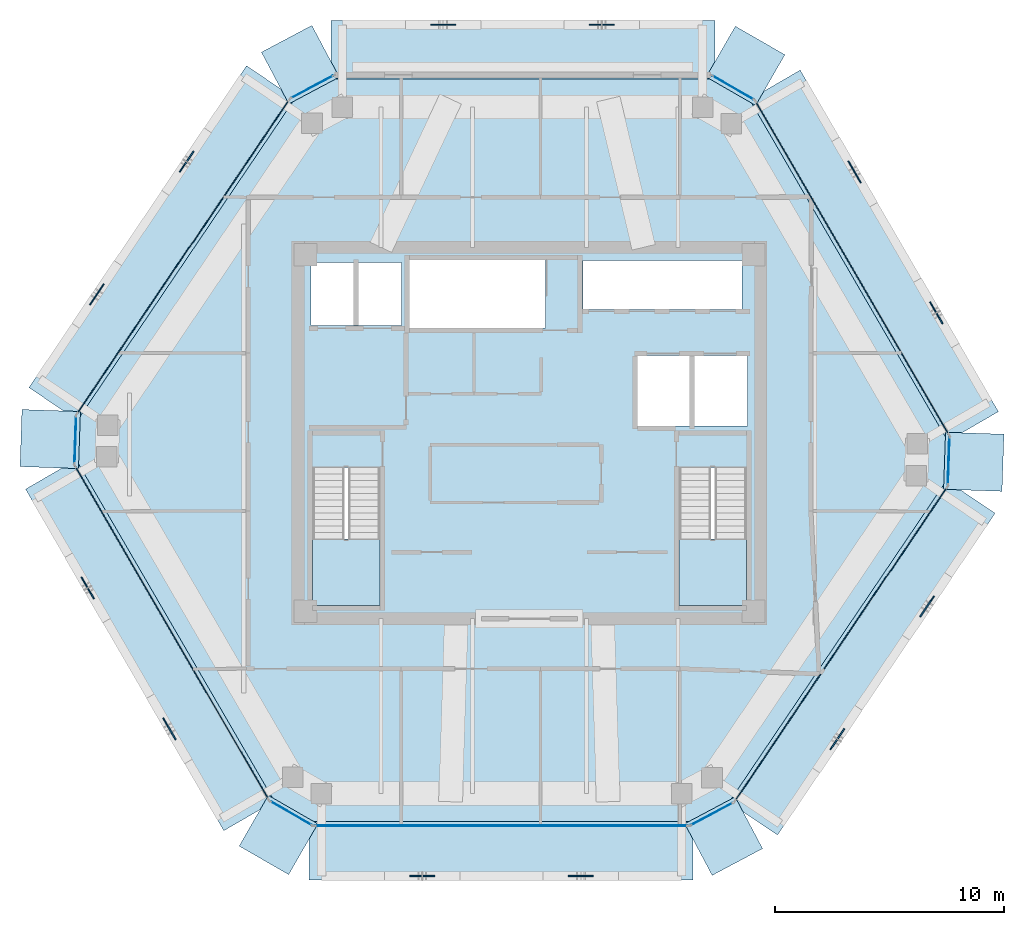
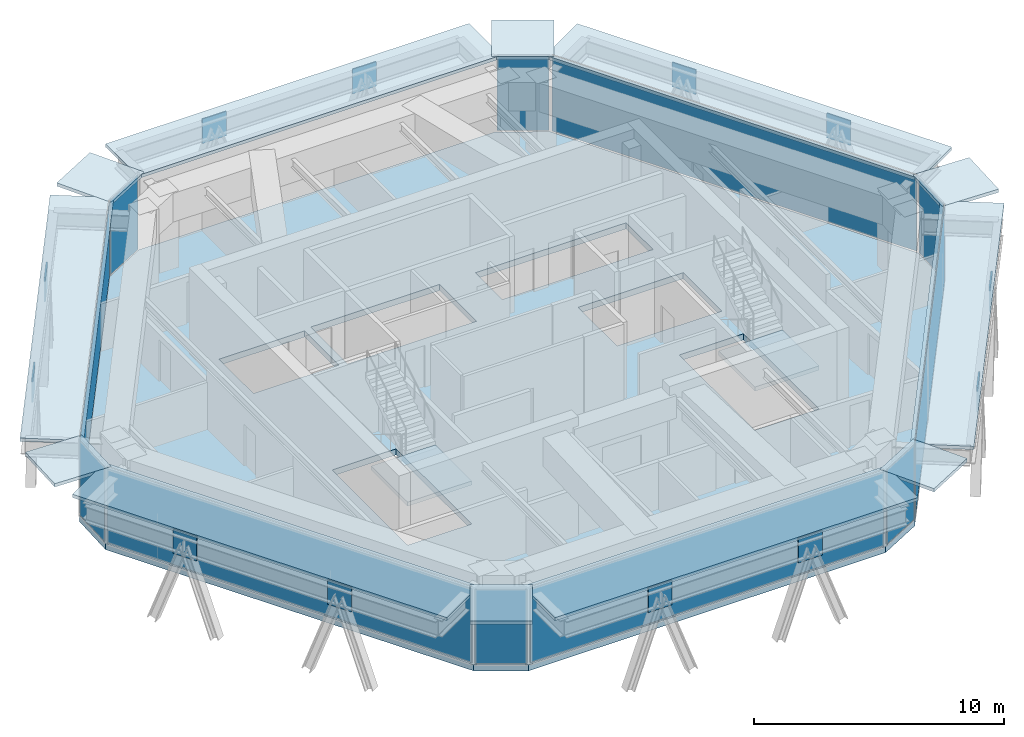
# One storey, part 7 of 13: 35 plates, 3 slabs, 13 elements without a shape of their own.
"""IFC4 building model written with IfcOpenShell, lengths in metres."""

from ifc_helpers import new_model, si_unit, direction, frame, origin, origin_2d, place, context, subcontext, project, spatial, polyline, rectangle, outline, extrude, source, transform, mapped, material, layer, layer_set, type_object, type_shapes, element, aggregate, save


model = new_model("IFC4")

# Units and contexts
model_context = context("Model", 3, precision=1e-05, world=origin(), true_north=direction((0.0, 1.0)))
body_context = subcontext(model_context, "Body", "Model", "MODEL_VIEW")
ifc_project = project(units=[si_unit("LENGTHUNIT", "METRE"), si_unit("AREAUNIT", "SQUARE_METRE"), si_unit("VOLUMEUNIT", "CUBIC_METRE"), si_unit("PLANEANGLEUNIT", "RADIAN"), si_unit("MASSUNIT", "GRAM", prefix="KILO")], contexts=[model_context])

# Site, building, storey
site_placement = place(None, origin())
site = spatial("IfcSite", under=ifc_project, at=site_placement, CompositionType="ELEMENT")
building_placement = place(site_placement, origin())
building = spatial("IfcBuilding", under=site, at=building_placement, Name="Durnholm Broadcast Tower", CompositionType="ELEMENT")
storey_placement = place(building_placement, frame((0.0, 0.0, 268.300048828125)))
storey = spatial("IfcBuildingStorey", under=building, at=storey_placement, Name="L75", CompositionType="ELEMENT", Elevation=268.300048828125)

# Slab
ifc_material_1 = material(Name="Concrete C50/60", Category="concrete")
ifc_layer_1 = layer(ifc_material_1, 0.300048828125)
ifc_layer_set_1 = layer_set([ifc_layer_1], Name="Concrete C50/60")
slab_type_1 = type_object("IfcSlabType", Name="SLAB-FLR-300", PredefinedType="FLOOR", material=ifc_layer_set_1)
slab_1_placement = place(storey_placement, frame((0.0, 0.0, -0.300048828125)))
element("IfcSlab", 1, at=slab_1_placement, inside=storey, type_object=slab_type_1, Name="L75 structural floor slab", PredefinedType="FLOOR", context=body_context, shape_type="SweptSolid", body=[
    extrude(outline(polyline([(-11.384521484375, -16.088134765625), (-9.47802734375, -17.18603515625), (7.012451171875, -17.18603515625), (8.955322265625, -16.154296875), (18.307861328125, -2.3203125), (18.38330078125, -0.12158203125), (9.8603515625, 14.564208984375), (7.9541015625, 15.662109375), (-8.536376953125, 15.662109375), (-10.4794921875, 14.630126953125), (-19.831787109375, 0.79638671875), (-19.9072265625, -1.40234375), (-11.384521484375, -16.088134765625)]), holes=[polyline([(-6.5400390625, -1.5), (-9.5, -1.5), (-9.5, -7.550048828125), (-6.5400390625, -7.550048828125), (-6.5400390625, -1.5)]), polyline([(9.5, -7.550048828125), (9.5, -1.5), (6.5400390625, -1.5), (6.5400390625, -7.550048828125), (9.5, -7.550048828125)]), polyline([(9.550048828125, 3.39990234375), (4.699951171875, 3.39990234375), (4.699951171875, 0.300048828125), (9.550048828125, 0.300048828125), (9.550048828125, 3.39990234375)]), polyline([(-9.550048828125, 7.449951171875), (-9.550048828125, 4.699951171875), (-5.60009765625, 4.699951171875), (-5.60009765625, 7.449951171875), (-9.550048828125, 7.449951171875)]), polyline([(-5.25, 4.60009765625), (0.699951171875, 4.60009765625), (0.699951171875, 7.56005859375), (-5.25, 7.56005859375), (-5.25, 4.60009765625)]), polyline([(9.31005859375, 7.550048828125), (2.35009765625, 7.550048828125), (2.35009765625, 5.39990234375), (9.31005859375, 5.39990234375), (9.31005859375, 7.550048828125)])]), origin(), (0.0, 0.0, 1.0), 0.300048828125),
])

# Stair, slab
stair_type = type_object("IfcStairType", Name="STAIR-DL-24R1750", PredefinedType="HALF_TURN_STAIR", material=ifc_material_1)
stair_1_placement = place(storey_placement, origin())
stair_1 = element("IfcStair", 2, at=stair_1_placement, inside=storey, type_object=stair_type, Name="L75 ST-1", PredefinedType="HALF_TURN_STAIR")
ifc_layer_2 = layer(ifc_material_1, 0.199951171875)
ifc_layer_set_2 = layer_set([ifc_layer_2], Name="Concrete C50/60")
slab_type_2 = type_object("IfcSlabType", Name="SLAB-LND-200", PredefinedType="LANDING", material=ifc_layer_set_2)
slab_2_placement = place(storey_placement, frame((0.0, 0.0, 1.89990234375)))
slab_2 = element("IfcSlab", 3, at=slab_2_placement, type_object=slab_type_2, Name="ST-1 landing 1", PredefinedType="LANDING", context=body_context, shape_type="SweptSolid", body=[
    extrude(outline(polyline([(-9.5, -4.635009765625), (-9.5, -7.550048828125), (-6.5400390625, -7.550048828125), (-6.5400390625, -4.635009765625), (-9.5, -4.635009765625)])), origin(), (0.0, 0.0, 1.0), 0.199951171875),
])
aggregate(stair_1, [slab_2])

stair_2_placement = place(storey_placement, origin())
stair_2 = element("IfcStair", 4, at=stair_2_placement, inside=storey, type_object=stair_type, Name="L75 ST-2", PredefinedType="HALF_TURN_STAIR")
slab_3_placement = place(storey_placement, frame((0.0, 0.0, 1.89990234375)))
slab_3 = element("IfcSlab", 5, at=slab_3_placement, type_object=slab_type_2, Name="ST-2 landing 1", PredefinedType="LANDING", context=body_context, shape_type="SweptSolid", body=[
    extrude(outline(polyline([(6.5400390625, -4.635009765625), (6.5400390625, -7.550048828125), (9.5, -7.550048828125), (9.5, -4.635009765625), (6.5400390625, -4.635009765625)])), origin(), (0.0, 0.0, 1.0), 0.199951171875),
])
aggregate(stair_2, [slab_3])

# Plates
ifc_material_2 = material(Name="Steel ASTM A572 Grade 50", Category="steel")
ifc_layer_3 = layer(ifc_material_2, 0.06005859375)
ifc_layer_set_3 = layer_set([ifc_layer_3], Name="Steel ASTM A572 Grade 50")
plate_type_1 = type_object("IfcPlateType", Name="PLT-KN10-GUS", PredefinedType="USERDEFINED", material=ifc_layer_set_3)
shared_shape_1 = source(origin(), body_context, "Body", "SweptSolid", [
    extrude(rectangle(XDim=1.10009765625, YDim=0.06005859375, at=origin_2d()), origin(), (0.0, 0.0, 1.0), 1.199951171875),
])
type_shapes(plate_type_1, [shared_shape_1])
for number, where, z_axis, x_axis, name in (
    (6, (-4.688720703125, -19.385986328125, 2.3984375), (0.0, 0.0, 1.0), (1.0, 0.0, 0.0), "L75 welded diagrid node gusset plate KN10 F1"),
    (7, (2.248779296875, -19.385986328125, 2.3984375), (0.0, 0.0, 1.0), (1.0, 0.0, 0.0), "L75 welded diagrid node gusset plate KN10 F1"),
    (8, (13.47412109375, -13.398193359375, 2.3984375), (0.0, 0.0, 1.0), (0.560060762816, 0.828451532652, 0.0), "L75 welded diagrid node gusset plate KN10 F2"),
    (9, (17.404052734375, -7.585205078125, 2.3984375), (0.0, 0.0, 1.0), (0.560060762816, 0.828451532652, 0.0), "L75 welded diagrid node gusset plate KN10 F2"),
    (10, (17.806640625, 5.2548828125, 2.3984375), (0.0, 0.0, 1.0), (-0.501963660617, 0.864888711581, 0.0), "L75 welded diagrid node gusset plate KN10 F3"),
    (11, (14.228271484375, 11.4208984375, 2.3984375), (0.0, 0.0, 1.0), (-0.501963660617, 0.864888711581, 0.0), "L75 welded diagrid node gusset plate KN10 F3"),
    (12, (3.164794921875, 17.862060546875, 2.3984375), (0.0, 0.0, 1.0), (-1.0, 0.0, 0.0), "L75 welded diagrid node gusset plate KN10 F4"),
    (13, (-3.772705078125, 17.862060546875, 2.3984375), (0.0, 0.0, 1.0), (-1.0, 0.0, 0.0), "L75 welded diagrid node gusset plate KN10 F4"),
    (14, (-14.998046875, 11.874267578125, 2.3984375), (0.0, 0.0, 1.0), (-0.560060762816, -0.828451532652, 0.0), "L75 welded diagrid node gusset plate KN10 F5"),
    (15, (-18.927978515625, 6.061279296875, 2.3984375), (0.0, 0.0, 1.0), (-0.560060762816, -0.828451532652, 0.0), "L75 welded diagrid node gusset plate KN10 F5"),
    (16, (-19.330810546875, -6.77880859375, 2.3984375), (0.0, 0.0, 1.0), (0.501963660617, -0.864888711581, 0.0), "L75 welded diagrid node gusset plate KN10 F6"),
    (17, (-15.752197265625, -12.94482421875, 2.3984375), (0.0, 0.0, 1.0), (0.501963660617, -0.864888711581, 0.0), "L75 welded diagrid node gusset plate KN10 F6"),
):
    element("IfcPlate", number, at=place(storey_placement, frame(where, z_axis=z_axis, x_axis=x_axis)), inside=storey, type_object=plate_type_1, Name=name, ObjectType="GUSSET_PLATE", PredefinedType="USERDEFINED", context=body_context, shape_type="MappedRepresentation", body=[
        mapped(shared_shape_1, transform((0.0, 0.0, 0.0), x_axis=(1.0, 0.0, 0.0), y_axis=(0.0, 1.0, 0.0), z_axis=(0.0, 0.0, 1.0), scale=1.0)),
    ])

# Curtain wall, plate
ifc_material_3 = material(Name="Aluminium and Solar Control IGU", Category="aluminium")
ifc_layer_4 = layer(ifc_material_3, 0.1650390625)
ifc_layer_set_4 = layer_set([ifc_layer_4], Name="Aluminium and Solar Control IGU")
curtain_wall_type_1 = type_object("IfcCurtainWallType", Name="CW-SYS-5", PredefinedType="NOTDEFINED", material=ifc_layer_set_4)
curtain_wall_1_placement = place(storey_placement, origin())
curtain_wall_1 = element("IfcCurtainWall", 18, at=curtain_wall_1_placement, inside=storey, type_object=curtain_wall_type_1, Name="L75 curtain wall CW-CORNER CW-L75-CRN-01", PredefinedType="NOTDEFINED")
ifc_material_4 = material(Name="Low-E Laminated Insulating Glass", Category="glass")
ifc_layer_5 = layer(ifc_material_4, 0.030029296875)
ifc_layer_set_5 = layer_set([ifc_layer_5], Name="Low-E Laminated Insulating Glass")
plate_type_2 = type_object("IfcPlateType", Name="CW-SYS-5-PNL", PredefinedType="CURTAIN_PANEL", material=ifc_layer_set_5)
shared_shape_2 = source(origin(), body_context, "Body", "SweptSolid", [
    extrude(rectangle(XDim=2.070068359375, YDim=0.030029296875, at=origin_2d()), origin(), (0.0, 0.0, 1.0), 3.6201171875),
])
plate_1_placement = place(storey_placement, frame((-19.86962890625, -0.302978515625, 0.06494140625), z_axis=(0.0, 0.0, 1.0), x_axis=(0.034318245849, 0.999410955514, 0.0)))
plate_1 = element("IfcPlate", 19, at=plate_1_placement, type_object=plate_type_2, Name="CW-CORNER panel 1.1", PredefinedType="CURTAIN_PANEL", context=body_context, shape_type="MappedRepresentation", body=[
    mapped(shared_shape_2, transform((0.0, 0.0, 0.0), x_axis=(1.0, 0.0, 0.0), y_axis=(0.0, 1.0, 0.0), z_axis=(0.0, 0.0, 1.0), scale=1.0)),
])
aggregate(curtain_wall_1, [plate_1])

curtain_wall_2_placement = place(storey_placement, origin())
curtain_wall_2 = element("IfcCurtainWall", 20, at=curtain_wall_2_placement, inside=storey, type_object=curtain_wall_type_1, Name="L75 curtain wall CW-CORNER CW-L75-CRN-03", PredefinedType="NOTDEFINED")
plate_2_placement = place(storey_placement, frame((-9.5078125, 15.14599609375, 0.06494140625), z_axis=(0.0, 0.0, 1.0), x_axis=(0.883194569853, 0.469006771575, 0.0)))
plate_2 = element("IfcPlate", 21, at=plate_2_placement, type_object=plate_type_2, Name="CW-CORNER panel 1.1", PredefinedType="CURTAIN_PANEL", context=body_context, shape_type="MappedRepresentation", body=[
    mapped(shared_shape_2, transform((0.0, 0.0, 0.0), x_axis=(1.0, 0.0, 0.0), y_axis=(0.0, 1.0, 0.0), z_axis=(0.0, 0.0, 1.0), scale=1.0)),
])
aggregate(curtain_wall_2, [plate_2])

curtain_wall_3_placement = place(storey_placement, origin())
curtain_wall_3 = element("IfcCurtainWall", 22, at=curtain_wall_3_placement, inside=storey, type_object=curtain_wall_type_1, Name="L75 curtain wall CW-CORNER CW-L75-CRN-07", PredefinedType="NOTDEFINED")
plate_3_placement = place(storey_placement, frame((18.345458984375, -1.220947265625, 0.06494140625), z_axis=(0.0, 0.0, 1.0), x_axis=(-0.034318245849, -0.999410955514, 0.0)))
plate_3 = element("IfcPlate", 23, at=plate_3_placement, type_object=plate_type_2, Name="CW-CORNER panel 1.1", PredefinedType="CURTAIN_PANEL", context=body_context, shape_type="MappedRepresentation", body=[
    mapped(shared_shape_2, transform((0.0, 0.0, 0.0), x_axis=(1.0, 0.0, 0.0), y_axis=(0.0, 1.0, 0.0), z_axis=(0.0, 0.0, 1.0), scale=1.0)),
])
aggregate(curtain_wall_3, [plate_3])

curtain_wall_4_placement = place(storey_placement, origin())
curtain_wall_4 = element("IfcCurtainWall", 24, at=curtain_wall_4_placement, inside=storey, type_object=curtain_wall_type_1, Name="L75 curtain wall CW-CORNER CW-L75-CRN-09", PredefinedType="NOTDEFINED")
plate_4_placement = place(storey_placement, frame((7.98388671875, -16.670166015625, 0.06494140625), z_axis=(0.0, 0.0, 1.0), x_axis=(-0.883194569853, -0.469006771575, 0.0)))
plate_4 = element("IfcPlate", 25, at=plate_4_placement, type_object=plate_type_2, Name="CW-CORNER panel 1.1", PredefinedType="CURTAIN_PANEL", context=body_context, shape_type="MappedRepresentation", body=[
    mapped(shared_shape_2, transform((0.0, 0.0, 0.0), x_axis=(1.0, 0.0, 0.0), y_axis=(0.0, 1.0, 0.0), z_axis=(0.0, 0.0, 1.0), scale=1.0)),
])
aggregate(curtain_wall_4, [plate_4])

ifc_layer_6 = layer(ifc_material_3, 0.219970703125)
ifc_layer_set_6 = layer_set([ifc_layer_6], Name="Aluminium and Solar Control IGU")
curtain_wall_type_2 = type_object("IfcCurtainWallType", Name="CW-SYS-6", PredefinedType="NOTDEFINED", material=ifc_layer_set_6)
curtain_wall_5_placement = place(storey_placement, origin())
curtain_wall_5 = element("IfcCurtainWall", 26, at=curtain_wall_5_placement, inside=storey, type_object=curtain_wall_type_2, Name="L75 curtain wall CW-AMENITY CW-L75-F02", PredefinedType="NOTDEFINED")
ifc_layer_7 = layer(ifc_material_4, 0.0380859375)
ifc_layer_set_7 = layer_set([ifc_layer_7], Name="Low-E Laminated Insulating Glass")
plate_type_3 = type_object("IfcPlateType", Name="CW-SYS-6-PNL", PredefinedType="CURTAIN_PANEL", material=ifc_layer_set_7)
shared_shape_3 = source(origin(), body_context, "Body", "SweptSolid", [
    extrude(rectangle(XDim=16.548583984375, YDim=0.0380859375, at=origin_2d()), origin(), (0.0, 0.0, 1.0), 3.60009765625),
])
plate_5_placement = place(storey_placement, frame((-15.155517578125, 7.71337890625, 0.074951171875), z_axis=(0.0, 0.0, 1.0), x_axis=(0.560072745753, 0.828443431662, 0.0)))
plate_5 = element("IfcPlate", 27, at=plate_5_placement, type_object=plate_type_3, Name="CW-AMENITY panel 1.1", PredefinedType="CURTAIN_PANEL", context=body_context, shape_type="MappedRepresentation", body=[
    mapped(shared_shape_3, transform((0.0, 0.0, 0.0), x_axis=(1.0, 0.0, 0.0), y_axis=(0.0, 1.0, 0.0), z_axis=(0.0, 0.0, 1.0), scale=1.0)),
])
aggregate(curtain_wall_5, [plate_5])

curtain_wall_6_placement = place(storey_placement, origin())
curtain_wall_6 = element("IfcCurtainWall", 28, at=curtain_wall_6_placement, inside=storey, type_object=curtain_wall_type_2, Name="L75 curtain wall CW-AMENITY CW-L75-F08", PredefinedType="NOTDEFINED")
plate_6_placement = place(storey_placement, frame((13.631591796875, -9.2373046875, 0.074951171875), z_axis=(0.0, 0.0, 1.0), x_axis=(-0.560072745753, -0.828443431662, 0.0)))
plate_6 = element("IfcPlate", 29, at=plate_6_placement, type_object=plate_type_3, Name="CW-AMENITY panel 1.1", PredefinedType="CURTAIN_PANEL", context=body_context, shape_type="MappedRepresentation", body=[
    mapped(shared_shape_3, transform((0.0, 0.0, 0.0), x_axis=(1.0, 0.0, 0.0), y_axis=(0.0, 1.0, 0.0), z_axis=(0.0, 0.0, 1.0), scale=1.0)),
])
aggregate(curtain_wall_6, [plate_6])

curtain_wall_7_placement = place(storey_placement, origin())
curtain_wall_7 = element("IfcCurtainWall", 30, at=curtain_wall_7_placement, inside=storey, type_object=curtain_wall_type_1, Name="L75 curtain wall CW-CORNER CW-L75-CRN-05", PredefinedType="NOTDEFINED")
shared_shape_4 = source(origin(), body_context, "Body", "SweptSolid", [
    extrude(rectangle(XDim=2.06982421875, YDim=0.030029296875, at=origin_2d()), origin(), (0.0, 0.0, 1.0), 3.6201171875),
])
type_shapes(plate_type_2, [shared_shape_2, shared_shape_4])
plate_7_placement = place(storey_placement, frame((8.9072265625, 15.113037109375, 0.06494140625), z_axis=(0.0, 0.0, 1.0), x_axis=(0.866568249707, -0.499058582333, 0.0)))
plate_7 = element("IfcPlate", 31, at=plate_7_placement, type_object=plate_type_2, Name="CW-CORNER panel 1.1", PredefinedType="CURTAIN_PANEL", context=body_context, shape_type="MappedRepresentation", body=[
    mapped(shared_shape_4, transform((0.0, 0.0, 0.0), x_axis=(1.0, 0.0, 0.0), y_axis=(0.0, 1.0, 0.0), z_axis=(0.0, 0.0, 1.0), scale=1.0)),
])
aggregate(curtain_wall_7, [plate_7])

curtain_wall_8_placement = place(storey_placement, origin())
curtain_wall_8 = element("IfcCurtainWall", 32, at=curtain_wall_8_placement, inside=storey, type_object=curtain_wall_type_1, Name="L75 curtain wall CW-CORNER CW-L75-CRN-11", PredefinedType="NOTDEFINED")
plate_8_placement = place(storey_placement, frame((-10.43115234375, -16.636962890625, 0.06494140625), z_axis=(0.0, 0.0, 1.0), x_axis=(-0.866568249707, 0.499058582333, 0.0)))
plate_8 = element("IfcPlate", 33, at=plate_8_placement, type_object=plate_type_2, Name="CW-CORNER panel 1.1", PredefinedType="CURTAIN_PANEL", context=body_context, shape_type="MappedRepresentation", body=[
    mapped(shared_shape_4, transform((0.0, 0.0, 0.0), x_axis=(1.0, 0.0, 0.0), y_axis=(0.0, 1.0, 0.0), z_axis=(0.0, 0.0, 1.0), scale=1.0)),
])
aggregate(curtain_wall_8, [plate_8])

curtain_wall_9_placement = place(storey_placement, origin())
curtain_wall_9 = element("IfcCurtainWall", 34, at=curtain_wall_9_placement, inside=storey, type_object=curtain_wall_type_2, Name="L75 curtain wall CW-AMENITY CW-L75-F06", PredefinedType="NOTDEFINED")
shared_shape_5 = source(origin(), body_context, "Body", "SweptSolid", [
    extrude(rectangle(XDim=16.829833984375, YDim=0.0380859375, at=origin_2d()), origin(), (0.0, 0.0, 1.0), 3.60009765625),
])
plate_9_placement = place(storey_placement, frame((14.121826171875, 7.22119140625, 0.074951171875), z_axis=(0.0, 0.0, 1.0), x_axis=(0.50194441023, -0.864899883824, 0.0)))
plate_9 = element("IfcPlate", 35, at=plate_9_placement, type_object=plate_type_3, Name="CW-AMENITY panel 1.1", PredefinedType="CURTAIN_PANEL", context=body_context, shape_type="MappedRepresentation", body=[
    mapped(shared_shape_5, transform((0.0, 0.0, 0.0), x_axis=(1.0, 0.0, 0.0), y_axis=(0.0, 1.0, 0.0), z_axis=(0.0, 0.0, 1.0), scale=1.0)),
])
aggregate(curtain_wall_9, [plate_9])

curtain_wall_10_placement = place(storey_placement, origin())
curtain_wall_10 = element("IfcCurtainWall", 36, at=curtain_wall_10_placement, inside=storey, type_object=curtain_wall_type_2, Name="L75 curtain wall CW-AMENITY CW-L75-F12", PredefinedType="NOTDEFINED")
plate_10_placement = place(storey_placement, frame((-15.645751953125, -8.7451171875, 0.074951171875), z_axis=(0.0, 0.0, 1.0), x_axis=(-0.50194441023, 0.864899883824, 0.0)))
plate_10 = element("IfcPlate", 37, at=plate_10_placement, type_object=plate_type_3, Name="CW-AMENITY panel 1.1", PredefinedType="CURTAIN_PANEL", context=body_context, shape_type="MappedRepresentation", body=[
    mapped(shared_shape_5, transform((0.0, 0.0, 0.0), x_axis=(1.0, 0.0, 0.0), y_axis=(0.0, 1.0, 0.0), z_axis=(0.0, 0.0, 1.0), scale=1.0)),
])
aggregate(curtain_wall_10, [plate_10])

curtain_wall_11_placement = place(storey_placement, origin())
curtain_wall_11 = element("IfcCurtainWall", 38, at=curtain_wall_11_placement, inside=storey, type_object=curtain_wall_type_2, Name="L75 curtain wall CW-AMENITY CW-L75-F10", PredefinedType="NOTDEFINED")
shared_shape_6 = source(origin(), body_context, "Body", "SweptSolid", [
    extrude(rectangle(XDim=16.34033203125, YDim=0.0380859375, at=origin_2d()), origin(), (0.0, 0.0, 1.0), 3.60009765625),
])
type_shapes(plate_type_3, [shared_shape_3, shared_shape_5, shared_shape_6])
plate_11_placement = place(storey_placement, frame((-1.23291015625, -17.18603515625, 0.074951171875), z_axis=(0.0, 0.0, 1.0), x_axis=(-1.0, 0.0, 0.0)))
plate_11 = element("IfcPlate", 39, at=plate_11_placement, type_object=plate_type_3, Name="CW-AMENITY panel 1.1", PredefinedType="CURTAIN_PANEL", context=body_context, shape_type="MappedRepresentation", body=[
    mapped(shared_shape_6, transform((0.0, 0.0, 0.0), x_axis=(1.0, 0.0, 0.0), y_axis=(0.0, 1.0, 0.0), z_axis=(0.0, 0.0, 1.0), scale=1.0)),
])
aggregate(curtain_wall_11, [plate_11])

# Plates
ifc_material_5 = material(Name="Anodised Architectural Aluminium Louvre Screen", Category="aluminium")
ifc_layer_8 = layer(ifc_material_5, 0.0849609375)
ifc_layer_set_8 = layer_set([ifc_layer_8], Name="Anodised Architectural Aluminium Louvre Screen")
plate_type_4 = type_object("IfcPlateType", Name="PLT-CROWN-SCR", PredefinedType="USERDEFINED", material=ifc_layer_set_8)
shared_shape_7 = source(origin(), body_context, "Body", "SweptSolid", [
    extrude(rectangle(XDim=2.5, YDim=2.56005859375, at=origin_2d()), origin(), (0.0, 0.0, 1.0), 0.159912109375),
])
for number, where, z_axis, x_axis, name in (
    (40, (-10.980224609375, -17.59033203125, 3.6298828125), (0.0, 0.0, 1.0), (0.866548527613, -0.499092826328, 0.0), "L75 exoskeleton top weather-louvre cap grille 01"),
    (41, (8.499755859375, -17.6416015625, 3.6298828125), (0.0, 0.0, 1.0), (0.883193286551, 0.469009188174, 0.0), "L75 exoskeleton top weather-louvre cap grille 03"),
    (42, (19.44482421875, -1.2587890625, 3.6298828125), (0.0, 0.0, 1.0), (0.034376212129, 0.999408963358, 0.0), "L75 exoskeleton top weather-louvre cap grille 05"),
    (43, (9.4560546875, 16.06640625, 3.6298828125), (0.0, 0.0, 1.0), (-0.866548527613, 0.499092826328, 0.0), "L75 exoskeleton top weather-louvre cap grille 07"),
    (44, (-10.023681640625, 16.11767578125, 3.6298828125), (0.0, 0.0, 1.0), (-0.883193286551, -0.469009188174, 0.0), "L75 exoskeleton top weather-louvre cap grille 09"),
    (45, (-20.968994140625, -0.26513671875, 3.6298828125), (0.0, 0.0, 1.0), (-0.034376212129, -0.999408963358, 0.0), "L75 exoskeleton top weather-louvre cap grille 11"),
):
    element("IfcPlate", number, at=place(storey_placement, frame(where, z_axis=z_axis, x_axis=x_axis)), inside=storey, type_object=plate_type_4, Name=name, ObjectType="SCREEN", PredefinedType="USERDEFINED", context=body_context, shape_type="MappedRepresentation", body=[
        mapped(shared_shape_7, transform((0.0, 0.0, 0.0), x_axis=(1.0, 0.0, 0.0), y_axis=(0.0, 1.0, 0.0), z_axis=(0.0, 0.0, 1.0), scale=1.0)),
    ])
shared_shape_8 = source(origin(), body_context, "Body", "SweptSolid", [
    extrude(rectangle(XDim=16.7900390625, YDim=2.56005859375, at=origin_2d()), origin(), (0.0, 0.0, 1.0), 0.159912109375),
])
for number, where, z_axis, x_axis, name in (
    (46, (-1.242919921875, -18.285888671875, 3.6298828125), (0.0, 0.0, 1.0), (1.0, 0.0, 0.0), "L75 exoskeleton top weather-louvre cap grille 02"),
    (47, (-0.281005859375, 16.761962890625, 3.6298828125), (0.0, 0.0, 1.0), (-1.0, 0.0, 0.0), "L75 exoskeleton top weather-louvre cap grille 08"),
):
    element("IfcPlate", number, at=place(storey_placement, frame(where, z_axis=z_axis, x_axis=x_axis)), inside=storey, type_object=plate_type_4, Name=name, ObjectType="SCREEN", PredefinedType="USERDEFINED", context=body_context, shape_type="MappedRepresentation", body=[
        mapped(shared_shape_8, transform((0.0, 0.0, 0.0), x_axis=(1.0, 0.0, 0.0), y_axis=(0.0, 1.0, 0.0), z_axis=(0.0, 0.0, 1.0), scale=1.0)),
    ])
shared_shape_9 = source(origin(), body_context, "Body", "SweptSolid", [
    extrude(rectangle(XDim=16.9990234375, YDim=2.56005859375, at=origin_2d()), origin(), (0.0, 0.0, 1.0), 0.159912109375),
])
for number, where, z_axis, x_axis, name in (
    (48, (14.5546875, -9.835693359375, 3.6298828125), (0.0, 0.0, 1.0), (0.560060762816, 0.828451532652, 0.0), "L75 exoskeleton top weather-louvre cap grille 04"),
    (49, (-16.078857421875, 8.311767578125, 3.6298828125), (0.0, 0.0, 1.0), (-0.560060762816, -0.828451532652, 0.0), "L75 exoskeleton top weather-louvre cap grille 10"),
):
    element("IfcPlate", number, at=place(storey_placement, frame(where, z_axis=z_axis, x_axis=x_axis)), inside=storey, type_object=plate_type_4, Name=name, ObjectType="SCREEN", PredefinedType="USERDEFINED", context=body_context, shape_type="MappedRepresentation", body=[
        mapped(shared_shape_9, transform((0.0, 0.0, 0.0), x_axis=(1.0, 0.0, 0.0), y_axis=(0.0, 1.0, 0.0), z_axis=(0.0, 0.0, 1.0), scale=1.0)),
    ])
shared_shape_10 = source(origin(), body_context, "Body", "SweptSolid", [
    extrude(rectangle(XDim=17.280029296875, YDim=2.56005859375, at=origin_2d()), origin(), (0.0, 0.0, 1.0), 0.159912109375),
])
type_shapes(plate_type_4, [shared_shape_7, shared_shape_8, shared_shape_9, shared_shape_10])
for number, where, z_axis, x_axis, name in (
    (50, (15.078857421875, 7.763671875, 3.6298828125), (0.0, 0.0, 1.0), (-0.501963660617, 0.864888711581, 0.0), "L75 exoskeleton top weather-louvre cap grille 06"),
    (51, (-16.602783203125, -9.28759765625, 3.6298828125), (0.0, 0.0, 1.0), (0.501963660617, -0.864888711581, 0.0), "L75 exoskeleton top weather-louvre cap grille 12"),
):
    element("IfcPlate", number, at=place(storey_placement, frame(where, z_axis=z_axis, x_axis=x_axis)), inside=storey, type_object=plate_type_4, Name=name, ObjectType="SCREEN", PredefinedType="USERDEFINED", context=body_context, shape_type="MappedRepresentation", body=[
        mapped(shared_shape_10, transform((0.0, 0.0, 0.0), x_axis=(1.0, 0.0, 0.0), y_axis=(0.0, 1.0, 0.0), z_axis=(0.0, 0.0, 1.0), scale=1.0)),
    ])

save(model, "model.ifc")
